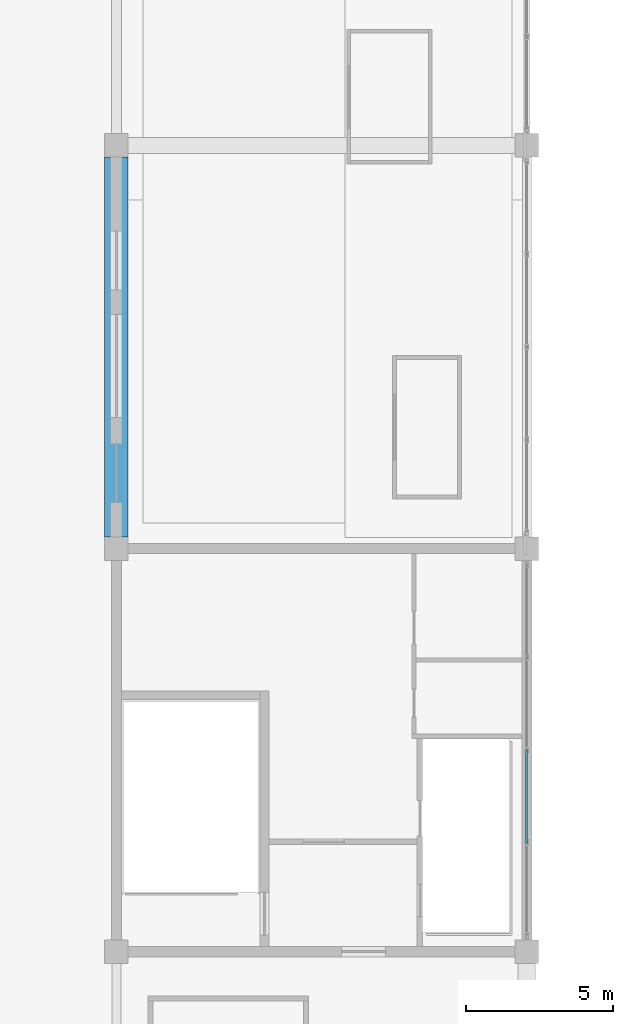
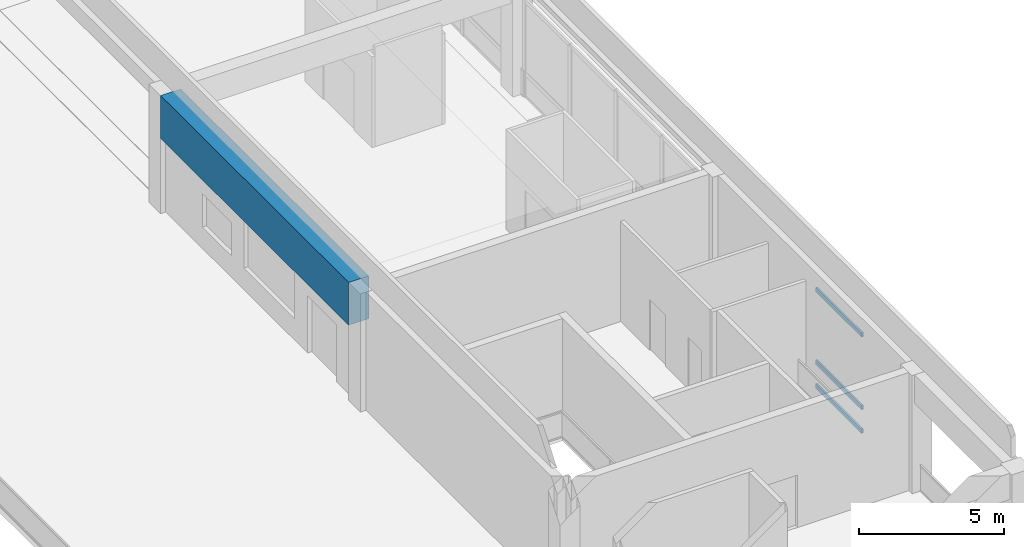
# One storey, part 15 of 113: 3 members, 1 beam, 1 element without a shape of its own.
"""IFC4 building model written with IfcOpenShell, lengths in metres."""

import ifcopenshell
import ifcopenshell.guid

model = None  # the IFC model being written
_history = None  # IfcOwnerHistory: only IFC2X3 demands one
_inside = {}  # id of a spatial element -> (the spatial element, [elements in it])
_under = {}  # id of a project, library or spatial element -> (it, [spatial elements below it])
_declared = {}  # id of a project -> (the project, [libraries it declares])
_typed = {}  # id of a type object -> (the type object, [elements of that type])
_made_of = {}  # id of a material, layer set ... -> (it, [elements and type objects made of it])


def new_model(schema):
    """Start an empty IFC model of exactly this schema.

    Asked for "IFC4X3", IfcOpenShell would pick the latest addendum, in which some entities
    have other attributes; the version numbers below select the first issue.
    IFC2X3 requires an IfcOwnerHistory on every rooted entity: one is made here for all.
    """
    global model, _history
    if schema == "IFC4X3":
        model = ifcopenshell.file(schema_version=(4, 3, 0, 0))
    else:
        model = ifcopenshell.file(schema=schema)
    _inside.clear()
    _under.clear()
    _declared.clear()
    _typed.clear()
    _made_of.clear()
    _history = None
    if model.schema == "IFC2X3":
        org = make("IfcOrganization", Name="unknown")
        user = make(
            "IfcPersonAndOrganization",
            ThePerson=make("IfcPerson", FamilyName="unknown"),
            TheOrganization=org,
        )
        app = make(
            "IfcApplication",
            ApplicationDeveloper=org,
            Version="unknown",
            ApplicationFullName="unknown",
            ApplicationIdentifier="unknown",
        )
        _history = make(
            "IfcOwnerHistory",
            OwningUser=user,
            OwningApplication=app,
            ChangeAction="ADDED",
            CreationDate=0,
        )
    return model


def make(cls, **values):
    """One entity of the class cls with the attributes given. An attribute that is None is left unset."""
    return model.create_entity(
        cls, **{name: value for name, value in values.items() if value is not None}
    )


def rooted(cls, **values):
    """An entity with a GlobalId (a new one), such as an element, a storey or a relation."""
    return make(cls, GlobalId=ifcopenshell.guid.new(), OwnerHistory=_history, **values)


def si_unit(unit_type, name, prefix=None):
    """IfcSIUnit, for example si_unit("LENGTHUNIT", "METRE", prefix="MILLI")."""
    return make("IfcSIUnit", UnitType=unit_type, Prefix=prefix, Name=name)


def assignment(units):
    """IfcUnitAssignment: the units of a project."""
    return None if units is None else make("IfcUnitAssignment", Units=units)


def point(xyz):
    """IfcCartesianPoint."""
    return None if xyz is None else make("IfcCartesianPoint", Coordinates=xyz)


def direction(xyz):
    """IfcDirection."""
    return None if xyz is None else make("IfcDirection", DirectionRatios=xyz)


def frame(location, z_axis=None, x_axis=None):
    """IfcAxis2Placement3D, a coordinate frame: its origin and axes. An axis left out is left unset."""
    return make(
        "IfcAxis2Placement3D",
        Location=point(location),
        Axis=direction(z_axis),
        RefDirection=direction(x_axis),
    )


def frame_2d(location, x_axis=None):
    """IfcAxis2Placement2D, a coordinate frame in the plane: its origin and x axis."""
    return make(
        "IfcAxis2Placement2D", Location=point(location), RefDirection=direction(x_axis)
    )


def origin():
    """The frame at (0, 0, 0) with its axes left unset."""
    return frame((0.0, 0.0, 0.0))


def origin_2d():
    """The frame at (0, 0) in the plane with its x axis left unset."""
    return frame_2d((0.0, 0.0))


def place(relative_to, where):
    """IfcLocalPlacement: puts the frame where relative to a parent placement (None: the world)."""
    return make(
        "IfcLocalPlacement", PlacementRelTo=relative_to, RelativePlacement=where
    )


def context(
    kind, dimensions, precision=None, world=None, true_north=None, identifier=None
):
    """IfcGeometricRepresentationContext, for example the 3D "Model" context."""
    return make(
        "IfcGeometricRepresentationContext",
        ContextIdentifier=identifier,
        ContextType=kind,
        CoordinateSpaceDimension=dimensions,
        Precision=precision,
        WorldCoordinateSystem=world,
        TrueNorth=true_north,
    )


def subcontext(parent, identifier, kind, view, scale=None):
    """IfcGeometricRepresentationSubContext, for example "Body" below "Model"."""
    return make(
        "IfcGeometricRepresentationSubContext",
        ContextIdentifier=identifier,
        ContextType=kind,
        ParentContext=parent,
        TargetScale=scale,
        TargetView=view,
    )


def project(units=None, contexts=None):
    """IfcProject with its units and contexts."""
    return rooted(
        "IfcProject",
        Name="project",
        RepresentationContexts=contexts,
        UnitsInContext=assignment(units),
    )


def spatial(cls, under=None, at=None, **own):
    """A site, building, storey or space (cls), placed at a placement, below another one or the project."""
    s = rooted(cls, ObjectPlacement=at, **own)
    if under is not None:
        _under.setdefault(under.id(), (under, []))[1].append(s)
    return s


def profile(cls, at=None, kind="AREA", **sizes):
    """A parametric profile (cls). Its sizes go by their IFC names, for example OverallWidth=200.0."""
    return make(cls, ProfileType=kind, Position=at, **sizes)


def rectangle(**sizes):
    """IfcRectangleProfileDef."""
    return profile("IfcRectangleProfileDef", **sizes)


def hollow_rectangle(**sizes):
    """IfcRectangleHollowProfileDef."""
    return profile("IfcRectangleHollowProfileDef", **sizes)


def extrude(swept, where, along, depth):
    """IfcExtrudedAreaSolid: the profile swept, set in the frame where, extruded along a direction by depth."""
    return make(
        "IfcExtrudedAreaSolid",
        SweptArea=swept,
        Position=where,
        ExtrudedDirection=direction(along),
        Depth=depth,
    )


def shape(context_of_items, identifier, shape_type, items):
    """IfcShapeRepresentation: the items that make up one representation, for example the "Body"."""
    return make(
        "IfcShapeRepresentation",
        ContextOfItems=context_of_items,
        RepresentationIdentifier=identifier,
        RepresentationType=shape_type,
        Items=items,
    )


def material(Name=None, Category=None):
    """IfcMaterial."""
    return make("IfcMaterial", Name=Name, Category=Category)


def material_profile(
    of_material, cross_section, Name=None, Category=None, Priority=None
):
    """IfcMaterialProfile: a cross section and its material."""
    return make(
        "IfcMaterialProfile",
        Name=Name,
        Material=of_material,
        Profile=cross_section,
        Priority=Priority,
        Category=Category,
    )


def profile_set(profiles, Name=None, composite=None):
    """IfcMaterialProfileSet."""
    return make(
        "IfcMaterialProfileSet",
        Name=Name,
        MaterialProfiles=profiles,
        CompositeProfile=composite,
    )


def made_of(thing, what):
    """Note that an element or type object is made of a material, layer set ...; save() writes the relation."""
    if what is not None:
        _made_of.setdefault(what.id(), (what, []))[1].append(thing)
    return thing


def type_object(cls, material=None, **own):
    """A type object (cls), such as IfcWallType, which elements share."""
    return made_of(rooted(cls, **own), material)


def element(
    cls,
    number,
    at=None,
    inside=None,
    cuts=None,
    type_object=None,
    material=None,
    context=None,
    identifier="Body",
    shape_type=None,
    held_by="IfcProductDefinitionShape",
    body=None,
    shapes=None,
    **own,
):
    """One element of the class cls, such as IfcWall. Its Tag is "e" and its number.

    at: its placement. inside: the storey or other place that contains it. cuts: it is an
    opening in that element (IfcRelVoidsElement). A single representation is given by context,
    identifier, shape_type and body (its items); several are given by shapes. held_by: the class
    of the entity that holds the representations. save() writes the other relations.
    """
    e = rooted(cls, Tag="e%d" % number, ObjectPlacement=at, **own)
    if body is not None:
        shapes = [shape(context, identifier, shape_type, body)]
    if shapes is not None:
        e.Representation = make(held_by, Representations=shapes)
    if inside is not None:
        _inside.setdefault(inside.id(), (inside, []))[1].append(e)
    if cuts is not None:
        rooted(
            "IfcRelVoidsElement", RelatingBuildingElement=cuts, RelatedOpeningElement=e
        )
    if type_object is not None:
        _typed.setdefault(type_object.id(), (type_object, []))[1].append(e)
    return made_of(e, material)


def aggregate(whole, parts):
    """IfcRelAggregates: a whole, such as a stair, and the parts it consists of."""
    return rooted("IfcRelAggregates", RelatingObject=whole, RelatedObjects=parts)


def save(model, path):
    """Write the relations noted so far, then the file.

    IfcRelAggregates (storeys below a building ...), IfcRelContainedInSpatialStructure (elements
    in a storey), IfcRelDefinesByType, IfcRelAssociatesMaterial and IfcRelDeclares: one each for
    every whole, place, type object, material and project.
    """
    for whole, parts in _under.values():
        aggregate(whole, parts)
    for where, things in _inside.values():
        rooted(
            "IfcRelContainedInSpatialStructure",
            RelatedElements=things,
            RelatingStructure=where,
        )
    for kind, things in _typed.values():
        rooted("IfcRelDefinesByType", RelatedObjects=things, RelatingType=kind)
    for what, things in _made_of.values():
        rooted("IfcRelAssociatesMaterial", RelatedObjects=things, RelatingMaterial=what)
    for by, libraries in _declared.values():
        rooted("IfcRelDeclares", RelatingContext=by, RelatedDefinitions=libraries)
    model.write(path)


model = new_model("IFC4")

# Units and contexts
model_context = context("Model", 3, precision=1e-05, world=origin(), true_north=direction((0.0, 1.0)))
body_context = subcontext(model_context, "Body", "Model", "MODEL_VIEW")
ifc_project = project(units=[si_unit("LENGTHUNIT", "METRE"), si_unit("AREAUNIT", "SQUARE_METRE"), si_unit("VOLUMEUNIT", "CUBIC_METRE"), si_unit("PLANEANGLEUNIT", "RADIAN"), si_unit("MASSUNIT", "GRAM", prefix="KILO")], contexts=[model_context])

# Site, building, storey
site_placement = place(None, origin())
site = spatial("IfcSite", under=ifc_project, at=site_placement, CompositionType="ELEMENT")
building_placement = place(site_placement, origin())
building = spatial("IfcBuilding", under=site, at=building_placement, Name="Linyun Crest Stadium", CompositionType="ELEMENT")
storey_placement = place(building_placement, frame((0.0, 0.0, 26.39990234375)))
storey = spatial("IfcBuildingStorey", under=building, at=storey_placement, Name="L06", CompositionType="ELEMENT", Elevation=26.39990234375)

# Beam
ifc_material_1 = material(Name="Concrete C50", Category="concrete")
ifc_material_profile_1 = material_profile(ifc_material_1, rectangle(XDim=0.800048828125, YDim=1.800048828125, at=origin_2d()), Name="RCB 1800x800")
ifc_profile_set_1 = profile_set([ifc_material_profile_1], Name="Concrete C50")
beam_type = type_object("IfcBeamType", Name="B14", PredefinedType="BEAM", material=ifc_profile_set_1)
beam_placement = place(storey_placement, frame((-84.0, -24.97509765625, 4.065185546875), z_axis=(0.0, 1.0, 0.0), x_axis=(-1.0, 0.0, 0.0)))
element("IfcBeam", 1, at=beam_placement, inside=storey, type_object=beam_type, Name="Frame beam B14 L06 373", PredefinedType="BEAM", context=body_context, shape_type="SweptSolid", body=[
    extrude(rectangle(XDim=0.800048828125, YDim=1.800048828125, at=origin_2d()), origin(), (0.0, 0.0, 1.0), 12.9501953125),
])

# Curtain wall, members
ifc_material_2 = material(Name="Verdigris steel and low-E curtain wall assembly", Category="steel")
curtain_wall_type = type_object("IfcCurtainWallType", Name="MCW06", PredefinedType="NOTDEFINED", material=ifc_material_2)
curtain_wall_placement = place(storey_placement, origin())
curtain_wall = element("IfcCurtainWall", 2, at=curtain_wall_placement, inside=storey, type_object=curtain_wall_type, Name="CWR-077", PredefinedType="NOTDEFINED")
ifc_material_3 = material(Name="Verdigris painted steel Q355B transom", Category="steel")
ifc_material_profile_2 = material_profile(ifc_material_3, hollow_rectangle(XDim=0.080078125, YDim=0.179931640625, WallThickness=0.006103515625, at=origin_2d()), Name="RHS 180x80x6")
ifc_profile_set_2 = profile_set([ifc_material_profile_2], Name="Verdigris painted steel Q355B transom")
member_type = type_object("IfcMemberType", Name="TR02", PredefinedType="USERDEFINED", material=ifc_profile_set_2)
member_1_placement = place(storey_placement, frame((-70.0, -35.412109375, 0.0), z_axis=(0.0, 1.0, 0.0), x_axis=(-1.0, 0.0, 0.0)))
member_1 = element("IfcMember", 3, at=member_1_placement, type_object=member_type, Name="CWR-077 transom 2.1", ObjectType="TRANSOM", PredefinedType="USERDEFINED", context=body_context, shape_type="SweptSolid", body=[
    extrude(hollow_rectangle(XDim=0.080078125, YDim=0.179931640625, WallThickness=0.006103515625, at=origin_2d()), origin(), (0.0, 0.0, 1.0), 3.162109375),
])
member_2_placement = place(storey_placement, frame((-70.0, -35.412109375, 1.0), z_axis=(0.0, 1.0, 0.0), x_axis=(-1.0, 0.0, 0.0)))
member_2 = element("IfcMember", 4, at=member_2_placement, type_object=member_type, Name="CWR-077 transom 2.2", ObjectType="TRANSOM", PredefinedType="USERDEFINED", context=body_context, shape_type="SweptSolid", body=[
    extrude(hollow_rectangle(XDim=0.080078125, YDim=0.179931640625, WallThickness=0.006103515625, at=origin_2d()), origin(), (0.0, 0.0, 1.0), 3.162109375),
])
member_3_placement = place(storey_placement, frame((-70.0, -35.412109375, 4.050048828125), z_axis=(0.0, 1.0, 0.0), x_axis=(-1.0, 0.0, 0.0)))
member_3 = element("IfcMember", 5, at=member_3_placement, type_object=member_type, Name="CWR-077 transom 2.3", ObjectType="TRANSOM", PredefinedType="USERDEFINED", context=body_context, shape_type="SweptSolid", body=[
    extrude(hollow_rectangle(XDim=0.080078125, YDim=0.179931640625, WallThickness=0.006103515625, at=origin_2d()), origin(), (0.0, 0.0, 1.0), 3.162109375),
])
aggregate(curtain_wall, [member_1, member_2, member_3])

save(model, "model.ifc")
